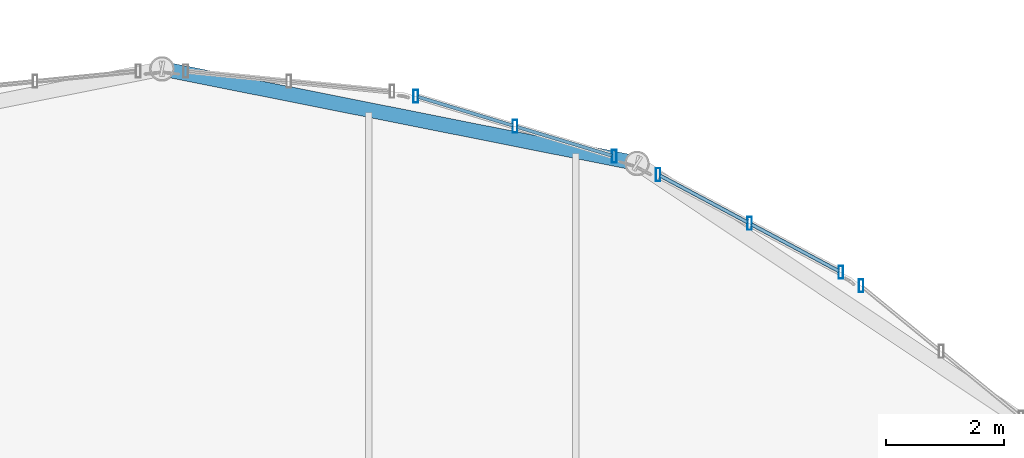
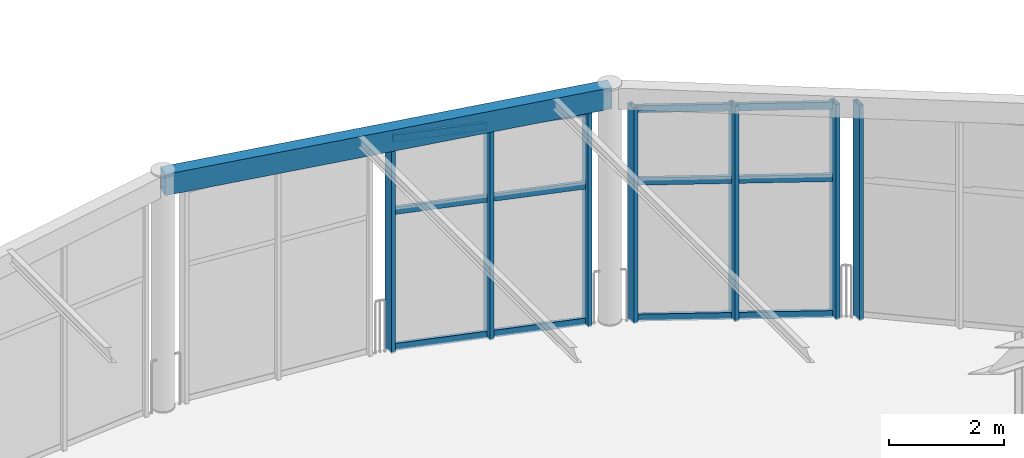
# One storey, part 95 of 195: 19 members, 1 beam, 3 elements without a shape of their own.
"""IFC4 building model written with IfcOpenShell, lengths in metres."""

import ifcopenshell
import ifcopenshell.guid

model = None  # the IFC model being written
_history = None  # IfcOwnerHistory: only IFC2X3 demands one
_inside = {}  # id of a spatial element -> (the spatial element, [elements in it])
_under = {}  # id of a project, library or spatial element -> (it, [spatial elements below it])
_declared = {}  # id of a project -> (the project, [libraries it declares])
_typed = {}  # id of a type object -> (the type object, [elements of that type])
_made_of = {}  # id of a material, layer set ... -> (it, [elements and type objects made of it])


def new_model(schema):
    """Start an empty IFC model of exactly this schema.

    Asked for "IFC4X3", IfcOpenShell would pick the latest addendum, in which some entities
    have other attributes; the version numbers below select the first issue.
    IFC2X3 requires an IfcOwnerHistory on every rooted entity: one is made here for all.
    """
    global model, _history
    if schema == "IFC4X3":
        model = ifcopenshell.file(schema_version=(4, 3, 0, 0))
    else:
        model = ifcopenshell.file(schema=schema)
    _inside.clear()
    _under.clear()
    _declared.clear()
    _typed.clear()
    _made_of.clear()
    _history = None
    if model.schema == "IFC2X3":
        org = make("IfcOrganization", Name="unknown")
        user = make(
            "IfcPersonAndOrganization",
            ThePerson=make("IfcPerson", FamilyName="unknown"),
            TheOrganization=org,
        )
        app = make(
            "IfcApplication",
            ApplicationDeveloper=org,
            Version="unknown",
            ApplicationFullName="unknown",
            ApplicationIdentifier="unknown",
        )
        _history = make(
            "IfcOwnerHistory",
            OwningUser=user,
            OwningApplication=app,
            ChangeAction="ADDED",
            CreationDate=0,
        )
    return model


def make(cls, **values):
    """One entity of the class cls with the attributes given. An attribute that is None is left unset."""
    return model.create_entity(
        cls, **{name: value for name, value in values.items() if value is not None}
    )


def rooted(cls, **values):
    """An entity with a GlobalId (a new one), such as an element, a storey or a relation."""
    return make(cls, GlobalId=ifcopenshell.guid.new(), OwnerHistory=_history, **values)


def si_unit(unit_type, name, prefix=None):
    """IfcSIUnit, for example si_unit("LENGTHUNIT", "METRE", prefix="MILLI")."""
    return make("IfcSIUnit", UnitType=unit_type, Prefix=prefix, Name=name)


def assignment(units):
    """IfcUnitAssignment: the units of a project."""
    return None if units is None else make("IfcUnitAssignment", Units=units)


def point(xyz):
    """IfcCartesianPoint."""
    return None if xyz is None else make("IfcCartesianPoint", Coordinates=xyz)


def direction(xyz):
    """IfcDirection."""
    return None if xyz is None else make("IfcDirection", DirectionRatios=xyz)


def frame(location, z_axis=None, x_axis=None):
    """IfcAxis2Placement3D, a coordinate frame: its origin and axes. An axis left out is left unset."""
    return make(
        "IfcAxis2Placement3D",
        Location=point(location),
        Axis=direction(z_axis),
        RefDirection=direction(x_axis),
    )


def frame_2d(location, x_axis=None):
    """IfcAxis2Placement2D, a coordinate frame in the plane: its origin and x axis."""
    return make(
        "IfcAxis2Placement2D", Location=point(location), RefDirection=direction(x_axis)
    )


def origin():
    """The frame at (0, 0, 0) with its axes left unset."""
    return frame((0.0, 0.0, 0.0))


def origin_2d():
    """The frame at (0, 0) in the plane with its x axis left unset."""
    return frame_2d((0.0, 0.0))


def place(relative_to, where):
    """IfcLocalPlacement: puts the frame where relative to a parent placement (None: the world)."""
    return make(
        "IfcLocalPlacement", PlacementRelTo=relative_to, RelativePlacement=where
    )


def context(
    kind, dimensions, precision=None, world=None, true_north=None, identifier=None
):
    """IfcGeometricRepresentationContext, for example the 3D "Model" context."""
    return make(
        "IfcGeometricRepresentationContext",
        ContextIdentifier=identifier,
        ContextType=kind,
        CoordinateSpaceDimension=dimensions,
        Precision=precision,
        WorldCoordinateSystem=world,
        TrueNorth=true_north,
    )


def subcontext(parent, identifier, kind, view, scale=None):
    """IfcGeometricRepresentationSubContext, for example "Body" below "Model"."""
    return make(
        "IfcGeometricRepresentationSubContext",
        ContextIdentifier=identifier,
        ContextType=kind,
        ParentContext=parent,
        TargetScale=scale,
        TargetView=view,
    )


def project(units=None, contexts=None):
    """IfcProject with its units and contexts."""
    return rooted(
        "IfcProject",
        Name="project",
        RepresentationContexts=contexts,
        UnitsInContext=assignment(units),
    )


def spatial(cls, under=None, at=None, **own):
    """A site, building, storey or space (cls), placed at a placement, below another one or the project."""
    s = rooted(cls, ObjectPlacement=at, **own)
    if under is not None:
        _under.setdefault(under.id(), (under, []))[1].append(s)
    return s


def profile(cls, at=None, kind="AREA", **sizes):
    """A parametric profile (cls). Its sizes go by their IFC names, for example OverallWidth=200.0."""
    return make(cls, ProfileType=kind, Position=at, **sizes)


def hollow_rectangle(**sizes):
    """IfcRectangleHollowProfileDef."""
    return profile("IfcRectangleHollowProfileDef", **sizes)


def extrude(swept, where, along, depth):
    """IfcExtrudedAreaSolid: the profile swept, set in the frame where, extruded along a direction by depth."""
    return make(
        "IfcExtrudedAreaSolid",
        SweptArea=swept,
        Position=where,
        ExtrudedDirection=direction(along),
        Depth=depth,
    )


def shape(context_of_items, identifier, shape_type, items):
    """IfcShapeRepresentation: the items that make up one representation, for example the "Body"."""
    return make(
        "IfcShapeRepresentation",
        ContextOfItems=context_of_items,
        RepresentationIdentifier=identifier,
        RepresentationType=shape_type,
        Items=items,
    )


def material(Name=None, Category=None):
    """IfcMaterial."""
    return make("IfcMaterial", Name=Name, Category=Category)


def layer(
    of_material, thickness, ventilated=None, Name=None, Category=None, Priority=None
):
    """IfcMaterialLayer: one layer of a wall or slab, of a material (None: an air gap)."""
    return make(
        "IfcMaterialLayer",
        Material=of_material,
        LayerThickness=thickness,
        IsVentilated=ventilated,
        Name=Name,
        Category=Category,
        Priority=Priority,
    )


def layer_set(layers, Name=None):
    """IfcMaterialLayerSet."""
    return make("IfcMaterialLayerSet", MaterialLayers=layers, LayerSetName=Name)


def material_profile(
    of_material, cross_section, Name=None, Category=None, Priority=None
):
    """IfcMaterialProfile: a cross section and its material."""
    return make(
        "IfcMaterialProfile",
        Name=Name,
        Material=of_material,
        Profile=cross_section,
        Priority=Priority,
        Category=Category,
    )


def profile_set(profiles, Name=None, composite=None):
    """IfcMaterialProfileSet."""
    return make(
        "IfcMaterialProfileSet",
        Name=Name,
        MaterialProfiles=profiles,
        CompositeProfile=composite,
    )


def made_of(thing, what):
    """Note that an element or type object is made of a material, layer set ...; save() writes the relation."""
    if what is not None:
        _made_of.setdefault(what.id(), (what, []))[1].append(thing)
    return thing


def type_object(cls, material=None, **own):
    """A type object (cls), such as IfcWallType, which elements share."""
    return made_of(rooted(cls, **own), material)


def element(
    cls,
    number,
    at=None,
    inside=None,
    cuts=None,
    type_object=None,
    material=None,
    context=None,
    identifier="Body",
    shape_type=None,
    held_by="IfcProductDefinitionShape",
    body=None,
    shapes=None,
    **own,
):
    """One element of the class cls, such as IfcWall. Its Tag is "e" and its number.

    at: its placement. inside: the storey or other place that contains it. cuts: it is an
    opening in that element (IfcRelVoidsElement). A single representation is given by context,
    identifier, shape_type and body (its items); several are given by shapes. held_by: the class
    of the entity that holds the representations. save() writes the other relations.
    """
    e = rooted(cls, Tag="e%d" % number, ObjectPlacement=at, **own)
    if body is not None:
        shapes = [shape(context, identifier, shape_type, body)]
    if shapes is not None:
        e.Representation = make(held_by, Representations=shapes)
    if inside is not None:
        _inside.setdefault(inside.id(), (inside, []))[1].append(e)
    if cuts is not None:
        rooted(
            "IfcRelVoidsElement", RelatingBuildingElement=cuts, RelatedOpeningElement=e
        )
    if type_object is not None:
        _typed.setdefault(type_object.id(), (type_object, []))[1].append(e)
    return made_of(e, material)


def aggregate(whole, parts):
    """IfcRelAggregates: a whole, such as a stair, and the parts it consists of."""
    return rooted("IfcRelAggregates", RelatingObject=whole, RelatedObjects=parts)


def save(model, path):
    """Write the relations noted so far, then the file.

    IfcRelAggregates (storeys below a building ...), IfcRelContainedInSpatialStructure (elements
    in a storey), IfcRelDefinesByType, IfcRelAssociatesMaterial and IfcRelDeclares: one each for
    every whole, place, type object, material and project.
    """
    for whole, parts in _under.values():
        aggregate(whole, parts)
    for where, things in _inside.values():
        rooted(
            "IfcRelContainedInSpatialStructure",
            RelatedElements=things,
            RelatingStructure=where,
        )
    for kind, things in _typed.values():
        rooted("IfcRelDefinesByType", RelatedObjects=things, RelatingType=kind)
    for what, things in _made_of.values():
        rooted("IfcRelAssociatesMaterial", RelatedObjects=things, RelatingMaterial=what)
    for by, libraries in _declared.values():
        rooted("IfcRelDeclares", RelatingContext=by, RelatedDefinitions=libraries)
    model.write(path)


model = new_model("IFC4")

# Units and contexts
model_context = context("Model", 3, precision=1e-05, world=origin(), true_north=direction((0.0, 1.0)))
body_context = subcontext(model_context, "Body", "Model", "MODEL_VIEW")
ifc_project = project(units=[si_unit("LENGTHUNIT", "METRE"), si_unit("AREAUNIT", "SQUARE_METRE"), si_unit("VOLUMEUNIT", "CUBIC_METRE"), si_unit("PLANEANGLEUNIT", "RADIAN"), si_unit("MASSUNIT", "GRAM", prefix="KILO")], contexts=[model_context])

# Site, building, storey
site_placement = place(None, origin())
site = spatial("IfcSite", under=ifc_project, at=site_placement, CompositionType="ELEMENT")
building_placement = place(site_placement, origin())
building = spatial("IfcBuilding", under=site, at=building_placement, Name="Marlcrest Central Station", CompositionType="ELEMENT")
storey_placement = place(building_placement, frame((0.0, 0.0, 9.800048828125)))
storey = spatial("IfcBuildingStorey", under=building, at=storey_placement, Name="L02", CompositionType="ELEMENT", Elevation=9.800048828125)

# Curtain wall, members
ifc_material_1 = material(Name="Anodised aluminium and hurricane laminated glass", Category="aluminium")
ifc_layer = layer(ifc_material_1, 0.219970703125, Name="CW-U1")
ifc_layer_set = layer_set([ifc_layer], Name="Anodised aluminium and hurricane laminated glass")
curtain_wall_type = type_object("IfcCurtainWallType", Name="CW-U1", PredefinedType="USERDEFINED", material=ifc_layer_set)
curtain_wall_1_placement = place(storey_placement, origin())
curtain_wall_1 = element("IfcCurtainWall", 1, at=curtain_wall_1_placement, inside=storey, type_object=curtain_wall_type, Name="cw-L02-0076", ObjectType="UNITISED_CURTAIN_WALL", PredefinedType="USERDEFINED")
ifc_material_2 = material(Name="Anodised aluminium 6063-T6", Category="aluminium")
ifc_material_profile_1 = material_profile(ifc_material_2, hollow_rectangle(XDim=0.080078125, YDim=0.219970703125, WallThickness=0.006103515625, at=origin_2d()), Name="AA-RHS 220x80x6")
ifc_profile_set_1 = profile_set([ifc_material_profile_1], Name="Anodised aluminium 6063-T6")
member_type_1 = type_object("IfcMemberType", Name="ML-01", PredefinedType="MULLION", material=ifc_profile_set_1)
member_1_placement = place(storey_placement, frame((112.2939453125, 131.0361328125, -0.030029296875), z_axis=(0.0, 0.0, 1.0), x_axis=(1.0, 0.0, 0.0)))
member_1 = element("IfcMember", 2, at=member_1_placement, type_object=member_type_1, Name="cw-L02-0076-ml-0", PredefinedType="MULLION", context=body_context, shape_type="SweptSolid", body=[
    extrude(hollow_rectangle(XDim=0.080078125, YDim=0.219970703125, WallThickness=0.006103515625, at=origin_2d()), origin(), (0.0, 0.0, 1.0), 4.56005859375),
])
member_2_placement = place(storey_placement, frame((113.9716796875, 130.52734375, -0.030029296875), z_axis=(0.0, 0.0, 1.0), x_axis=(1.0, 0.0, 0.0)))
member_2 = element("IfcMember", 3, at=member_2_placement, type_object=member_type_1, Name="cw-L02-0076-ml-1", PredefinedType="MULLION", context=body_context, shape_type="SweptSolid", body=[
    extrude(hollow_rectangle(XDim=0.080078125, YDim=0.219970703125, WallThickness=0.006103515625, at=origin_2d()), origin(), (0.0, 0.0, 1.0), 4.56005859375),
])
member_3_placement = place(storey_placement, frame((115.6494140625, 130.018310546875, -0.030029296875), z_axis=(0.0, 0.0, 1.0), x_axis=(1.0, 0.0, 0.0)))
member_3 = element("IfcMember", 4, at=member_3_placement, type_object=member_type_1, Name="cw-L02-0076-ml-2", PredefinedType="MULLION", context=body_context, shape_type="SweptSolid", body=[
    extrude(hollow_rectangle(XDim=0.080078125, YDim=0.219970703125, WallThickness=0.006103515625, at=origin_2d()), origin(), (0.0, 0.0, 1.0), 4.56005859375),
])

curtain_wall_2_placement = place(storey_placement, origin())
curtain_wall_2 = element("IfcCurtainWall", 5, at=curtain_wall_2_placement, inside=storey, type_object=curtain_wall_type, Name="cw-L02-0077", ObjectType="UNITISED_CURTAIN_WALL", PredefinedType="USERDEFINED")
member_4_placement = place(storey_placement, frame((116.392333984375, 129.710693359375, -0.030029296875), z_axis=(0.0, 0.0, 1.0), x_axis=(1.0, 0.0, 0.0)))
member_4 = element("IfcMember", 6, at=member_4_placement, type_object=member_type_1, Name="cw-L02-0077-ml-0", PredefinedType="MULLION", context=body_context, shape_type="SweptSolid", body=[
    extrude(hollow_rectangle(XDim=0.080078125, YDim=0.219970703125, WallThickness=0.006103515625, at=origin_2d()), origin(), (0.0, 0.0, 1.0), 4.56005859375),
])
member_5_placement = place(storey_placement, frame((117.93896484375, 128.88427734375, -0.030029296875), z_axis=(0.0, 0.0, 1.0), x_axis=(1.0, 0.0, 0.0)))
member_5 = element("IfcMember", 7, at=member_5_placement, type_object=member_type_1, Name="cw-L02-0077-ml-1", PredefinedType="MULLION", context=body_context, shape_type="SweptSolid", body=[
    extrude(hollow_rectangle(XDim=0.080078125, YDim=0.219970703125, WallThickness=0.006103515625, at=origin_2d()), origin(), (0.0, 0.0, 1.0), 4.56005859375),
])
member_6_placement = place(storey_placement, frame((119.485595703125, 128.05810546875, -0.030029296875), z_axis=(0.0, 0.0, 1.0), x_axis=(1.0, 0.0, 0.0)))
member_6 = element("IfcMember", 8, at=member_6_placement, type_object=member_type_1, Name="cw-L02-0077-ml-2", PredefinedType="MULLION", context=body_context, shape_type="SweptSolid", body=[
    extrude(hollow_rectangle(XDim=0.080078125, YDim=0.219970703125, WallThickness=0.006103515625, at=origin_2d()), origin(), (0.0, 0.0, 1.0), 4.56005859375),
])

# Curtain wall, member
curtain_wall_3_placement = place(storey_placement, origin())
curtain_wall_3 = element("IfcCurtainWall", 9, at=curtain_wall_3_placement, inside=storey, type_object=curtain_wall_type, Name="cw-L02-0078", ObjectType="UNITISED_CURTAIN_WALL", PredefinedType="USERDEFINED")
member_7_placement = place(storey_placement, frame((119.826171875, 127.830322265625, -0.030029296875), z_axis=(0.0, 0.0, 1.0), x_axis=(1.0, 0.0, 0.0)))
member_7 = element("IfcMember", 10, at=member_7_placement, type_object=member_type_1, Name="cw-L02-0078-ml-0", PredefinedType="MULLION", context=body_context, shape_type="SweptSolid", body=[
    extrude(hollow_rectangle(XDim=0.080078125, YDim=0.219970703125, WallThickness=0.006103515625, at=origin_2d()), origin(), (0.0, 0.0, 1.0), 4.56005859375),
])
aggregate(curtain_wall_3, [member_7])

# Beam
ifc_material_3 = material(Name="Steel S355", Category="steel")
ifc_material_profile_2 = material_profile(ifc_material_3, hollow_rectangle(XDim=0.25, YDim=0.449951171875, WallThickness=0.01611328125, at=origin_2d()), Name="RHS 450x250x16")
ifc_profile_set_2 = profile_set([ifc_material_profile_2], Name="Steel S355")
beam_type = type_object("IfcBeamType", Name="SP-02", PredefinedType="SPANDREL", material=ifc_profile_set_2)
beam_placement = place(storey_placement, frame((108.0, 131.5, 4.77001953125), z_axis=(0.980769316421, -0.19517056122, 0.0), x_axis=(0.19517056122, 0.980769316421, 0.0)))
element("IfcBeam", 11, at=beam_placement, inside=storey, type_object=beam_type, Name="bm-SP-02-L02-01481", PredefinedType="SPANDREL", context=body_context, shape_type="SweptSolid", body=[
    extrude(hollow_rectangle(XDim=0.25, YDim=0.449951171875, WallThickness=0.01611328125, at=origin_2d()), origin(), (0.0, 0.0, 1.0), 8.193359375),
])

# Member
ifc_material_profile_3 = material_profile(ifc_material_2, hollow_rectangle(XDim=0.06005859375, YDim=0.14990234375, WallThickness=0.00390625, at=origin_2d()), Name="AA-RHS 150x60x4")
ifc_profile_set_3 = profile_set([ifc_material_profile_3], Name="Anodised aluminium 6063-T6")
member_type_2 = type_object("IfcMemberType", Name="TR-01", PredefinedType="USERDEFINED", material=ifc_profile_set_3)
member_8_placement = place(storey_placement, frame((112.330322265625, 131.025146484375, 0.0400390625), z_axis=(0.95694846695, -0.29025787087, 0.0), x_axis=(0.29025787087, 0.95694846695, 0.0)))
member_8 = element("IfcMember", 12, at=member_8_placement, type_object=member_type_2, Name="cw-L02-0076-tr-0-sill", ObjectType="TRANSOM", PredefinedType="USERDEFINED", context=body_context, shape_type="SweptSolid", body=[
    extrude(hollow_rectangle(XDim=0.06005859375, YDim=0.14990234375, WallThickness=0.00390625, at=origin_2d()), origin(), (0.0, 0.0, 1.0), 1.67724609375),
])

member_9_placement = place(storey_placement, frame((112.330322265625, 131.025146484375, 2.925048828125), z_axis=(0.95694846695, -0.29025787087, 0.0), x_axis=(0.29025787087, 0.95694846695, 0.0)))
member_9 = element("IfcMember", 13, at=member_9_placement, type_object=member_type_2, Name="cw-L02-0076-tr-0-mid", ObjectType="TRANSOM", PredefinedType="USERDEFINED", context=body_context, shape_type="SweptSolid", body=[
    extrude(hollow_rectangle(XDim=0.06005859375, YDim=0.14990234375, WallThickness=0.00390625, at=origin_2d()), origin(), (0.0, 0.0, 1.0), 1.67724609375),
])

member_10_placement = place(storey_placement, frame((112.330322265625, 131.025146484375, 4.4599609375), z_axis=(0.95694846695, -0.29025787087, 0.0), x_axis=(0.29025787087, 0.95694846695, 0.0)))
member_10 = element("IfcMember", 14, at=member_10_placement, type_object=member_type_2, Name="cw-L02-0076-tr-0-head", ObjectType="TRANSOM", PredefinedType="USERDEFINED", context=body_context, shape_type="SweptSolid", body=[
    extrude(hollow_rectangle(XDim=0.06005859375, YDim=0.14990234375, WallThickness=0.00390625, at=origin_2d()), origin(), (0.0, 0.0, 1.0), 1.67724609375),
])

member_11_placement = place(storey_placement, frame((114.008056640625, 130.51611328125, 0.0400390625), z_axis=(0.95694846695, -0.29025787087, 0.0), x_axis=(0.29025787087, 0.95694846695, 0.0)))
member_11 = element("IfcMember", 15, at=member_11_placement, type_object=member_type_2, Name="cw-L02-0076-tr-1-sill", ObjectType="TRANSOM", PredefinedType="USERDEFINED", context=body_context, shape_type="SweptSolid", body=[
    extrude(hollow_rectangle(XDim=0.06005859375, YDim=0.14990234375, WallThickness=0.00390625, at=origin_2d()), origin(), (0.0, 0.0, 1.0), 1.67724609375),
])

member_12_placement = place(storey_placement, frame((114.008056640625, 130.51611328125, 2.925048828125), z_axis=(0.95694846695, -0.29025787087, 0.0), x_axis=(0.29025787087, 0.95694846695, 0.0)))
member_12 = element("IfcMember", 16, at=member_12_placement, type_object=member_type_2, Name="cw-L02-0076-tr-1-mid", ObjectType="TRANSOM", PredefinedType="USERDEFINED", context=body_context, shape_type="SweptSolid", body=[
    extrude(hollow_rectangle(XDim=0.06005859375, YDim=0.14990234375, WallThickness=0.00390625, at=origin_2d()), origin(), (0.0, 0.0, 1.0), 1.67724609375),
])

member_13_placement = place(storey_placement, frame((114.008056640625, 130.51611328125, 4.4599609375), z_axis=(0.95694846695, -0.29025787087, 0.0), x_axis=(0.29025787087, 0.95694846695, 0.0)))
member_13 = element("IfcMember", 17, at=member_13_placement, type_object=member_type_2, Name="cw-L02-0076-tr-1-head", ObjectType="TRANSOM", PredefinedType="USERDEFINED", context=body_context, shape_type="SweptSolid", body=[
    extrude(hollow_rectangle(XDim=0.06005859375, YDim=0.14990234375, WallThickness=0.00390625, at=origin_2d()), origin(), (0.0, 0.0, 1.0), 1.67724609375),
])

aggregate(curtain_wall_1, [member_1, member_2, member_3, member_8, member_9, member_10, member_11, member_12, member_13])

member_14_placement = place(storey_placement, frame((116.42578125, 129.692626953125, 0.0400390625), z_axis=(0.882022398889, -0.471207478568, 0.0), x_axis=(0.471207478568, 0.882022398889, 0.0)))
member_14 = element("IfcMember", 18, at=member_14_placement, type_object=member_type_2, Name="cw-L02-0077-tr-0-sill", ObjectType="TRANSOM", PredefinedType="USERDEFINED", context=body_context, shape_type="SweptSolid", body=[
    extrude(hollow_rectangle(XDim=0.06005859375, YDim=0.14990234375, WallThickness=0.00390625, at=origin_2d()), origin(), (0.0, 0.0, 1.0), 1.677734375),
])

member_15_placement = place(storey_placement, frame((116.42578125, 129.692626953125, 2.925048828125), z_axis=(0.882022398889, -0.471207478568, 0.0), x_axis=(0.471207478568, 0.882022398889, 0.0)))
member_15 = element("IfcMember", 19, at=member_15_placement, type_object=member_type_2, Name="cw-L02-0077-tr-0-mid", ObjectType="TRANSOM", PredefinedType="USERDEFINED", context=body_context, shape_type="SweptSolid", body=[
    extrude(hollow_rectangle(XDim=0.06005859375, YDim=0.14990234375, WallThickness=0.00390625, at=origin_2d()), origin(), (0.0, 0.0, 1.0), 1.677734375),
])

member_16_placement = place(storey_placement, frame((116.42578125, 129.692626953125, 4.4599609375), z_axis=(0.882022398889, -0.471207478568, 0.0), x_axis=(0.471207478568, 0.882022398889, 0.0)))
member_16 = element("IfcMember", 20, at=member_16_placement, type_object=member_type_2, Name="cw-L02-0077-tr-0-head", ObjectType="TRANSOM", PredefinedType="USERDEFINED", context=body_context, shape_type="SweptSolid", body=[
    extrude(hollow_rectangle(XDim=0.06005859375, YDim=0.14990234375, WallThickness=0.00390625, at=origin_2d()), origin(), (0.0, 0.0, 1.0), 1.677734375),
])

member_17_placement = place(storey_placement, frame((117.972412109375, 128.866455078125, 0.0400390625), z_axis=(0.881990080976, -0.47126796736, 0.0), x_axis=(0.47126796736, 0.881990080976, 0.0)))
member_17 = element("IfcMember", 21, at=member_17_placement, type_object=member_type_2, Name="cw-L02-0077-tr-1-sill", ObjectType="TRANSOM", PredefinedType="USERDEFINED", context=body_context, shape_type="SweptSolid", body=[
    extrude(hollow_rectangle(XDim=0.06005859375, YDim=0.14990234375, WallThickness=0.00390625, at=origin_2d()), origin(), (0.0, 0.0, 1.0), 1.677490234375),
])

member_18_placement = place(storey_placement, frame((117.972412109375, 128.866455078125, 2.925048828125), z_axis=(0.881990080976, -0.47126796736, 0.0), x_axis=(0.47126796736, 0.881990080976, 0.0)))
member_18 = element("IfcMember", 22, at=member_18_placement, type_object=member_type_2, Name="cw-L02-0077-tr-1-mid", ObjectType="TRANSOM", PredefinedType="USERDEFINED", context=body_context, shape_type="SweptSolid", body=[
    extrude(hollow_rectangle(XDim=0.06005859375, YDim=0.14990234375, WallThickness=0.00390625, at=origin_2d()), origin(), (0.0, 0.0, 1.0), 1.677490234375),
])

member_19_placement = place(storey_placement, frame((117.972412109375, 128.866455078125, 4.4599609375), z_axis=(0.881990080976, -0.47126796736, 0.0), x_axis=(0.47126796736, 0.881990080976, 0.0)))
member_19 = element("IfcMember", 23, at=member_19_placement, type_object=member_type_2, Name="cw-L02-0077-tr-1-head", ObjectType="TRANSOM", PredefinedType="USERDEFINED", context=body_context, shape_type="SweptSolid", body=[
    extrude(hollow_rectangle(XDim=0.06005859375, YDim=0.14990234375, WallThickness=0.00390625, at=origin_2d()), origin(), (0.0, 0.0, 1.0), 1.677490234375),
])

aggregate(curtain_wall_2, [member_4, member_5, member_6, member_14, member_15, member_16, member_17, member_18, member_19])

save(model, "model.ifc")
